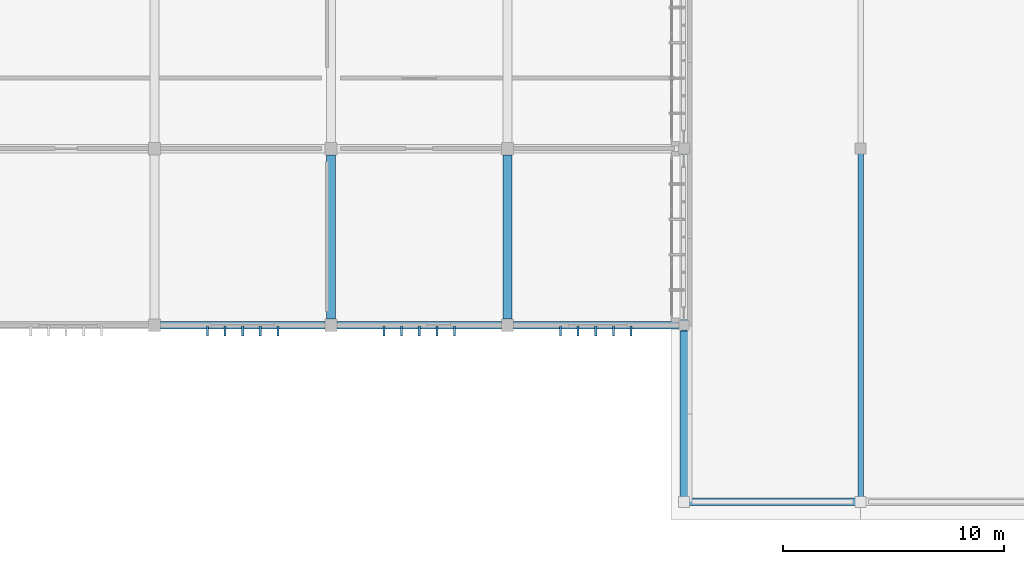
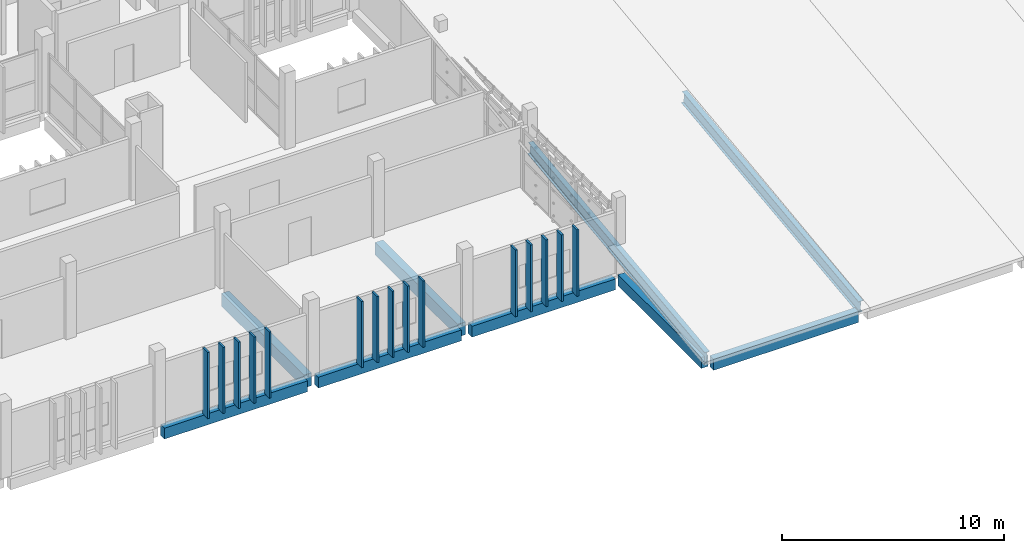
# One storey, part 37 of 83: 15 members, 9 beams.
"""IFC4 building model written with IfcOpenShell, lengths in metres."""

from ifc_helpers import new_model, si_unit, direction, frame, origin, origin_2d, place, context, subcontext, project, spatial, rectangle, i_section, extrude, material, material_profile, profile_set, type_object, element, save


model = new_model("IFC4")

# Units and contexts
model_context = context("Model", 3, precision=1e-05, world=origin(), true_north=direction((0.0, 1.0)))
body_context = subcontext(model_context, "Body", "Model", "MODEL_VIEW")
ifc_project = project(units=[si_unit("LENGTHUNIT", "METRE"), si_unit("AREAUNIT", "SQUARE_METRE"), si_unit("VOLUMEUNIT", "CUBIC_METRE"), si_unit("PLANEANGLEUNIT", "RADIAN"), si_unit("MASSUNIT", "GRAM", prefix="KILO")], contexts=[model_context])

# Site, building, storey
site_placement = place(None, origin())
site = spatial("IfcSite", under=ifc_project, at=site_placement, CompositionType="ELEMENT")
building_placement = place(site_placement, origin())
building = spatial("IfcBuilding", under=site, at=building_placement, Name="Jelvoka-Kovrelna Polytechnic", CompositionType="ELEMENT")
storey_placement = place(building_placement, frame((0.0, 0.0, 13.800048828125)))
storey = spatial("IfcBuildingStorey", under=building, at=storey_placement, Name="L04", CompositionType="ELEMENT", Elevation=13.800048828125)

# Beams
ifc_material_1 = material(Name="Concrete C40/50", Category="concrete")
ifc_material_profile_1 = material_profile(ifc_material_1, rectangle(XDim=0.39990234375, YDim=0.699951171875, at=origin_2d()), Name="RC 400x700")
ifc_profile_set_1 = profile_set([ifc_material_profile_1], Name="Concrete C40/50")
beam_type_1 = type_object("IfcBeamType", Name="Beam_RC_400x700", PredefinedType="BEAM", material=ifc_profile_set_1)
for number, where, z_axis, x_axis, name in (
    (1, (144.0, 8.280029296875, -0.60009765625), (0.0, 1.0, 0.0), (-1.0, 0.0, 0.0), "L04 beam 1172"),
    (2, (152.0, 8.280029296875, -0.60009765625), (0.0, 1.0, 0.0), (-1.0, 0.0, 0.0), "L04 beam 1174"),
):
    element("IfcBeam", number, at=place(storey_placement, frame(where, z_axis=z_axis, x_axis=x_axis)), inside=storey, type_object=beam_type_1, Name=name, PredefinedType="BEAM", context=body_context, shape_type="SweptSolid", body=[
        extrude(rectangle(XDim=0.39990234375, YDim=0.699951171875, at=origin_2d()), origin(), (0.0, 0.0, 1.0), 7.43994140625),
    ])
ifc_material_2 = material(Name="Structural steel S355JR", Category="steel")
ifc_material_profile_2 = material_profile(ifc_material_2, i_section(OverallWidth=0.2529296875, OverallDepth=0.677978515625, WebThickness=0.01171875, FlangeThickness=0.01611328125, FilletRadius=0.01513671875, at=origin_2d()), Name="686x254x125 UB")
ifc_profile_set_2 = profile_set([ifc_material_profile_2], Name="Structural steel S355JR")
beam_type_2 = type_object("IfcBeamType", Name="Girder_Steel_UB686", PredefinedType="BEAM", material=ifc_profile_set_2)
for number, where, z_axis, x_axis, name in (
    (3, (160.0, 0.050048828125, 0.0400390625), (0.0, 0.992713849108, 0.120495700292), (-1.0, 0.0, 0.0), "L04 V5 south outward-pitched girder 0251"),
    (4, (168.0, 0.050048828125, 0.0400390625), (0.0, 0.992713849108, 0.120495700292), (-1.0, 0.0, 0.0), "L04 V5 south outward-pitched girder 0253"),
):
    element("IfcBeam", number, at=place(storey_placement, frame(where, z_axis=z_axis, x_axis=x_axis)), inside=storey, type_object=beam_type_2, Name=name, PredefinedType="BEAM", context=body_context, shape_type="SweptSolid", body=[
        extrude(i_section(OverallWidth=0.2529296875, OverallDepth=0.677978515625, WebThickness=0.01171875, FlangeThickness=0.01611328125, FilletRadius=0.01513671875, at=origin_2d()), origin(), (0.0, 0.0, 1.0), 16.0166015625),
    ])

# Members
ifc_material_3 = material(Name="Precast concrete C40/50", Category="concrete")
ifc_material_profile_3 = material_profile(ifc_material_3, rectangle(XDim=0.10009765625, YDim=0.449951171875, at=origin_2d()), Name="PC 100x450")
ifc_profile_set_3 = profile_set([ifc_material_profile_3], Name="Precast concrete C40/50")
member_type = type_object("IfcMemberType", Name="Louvre_Fin_100x450", PredefinedType="USERDEFINED", material=ifc_profile_set_3)
for number, where, z_axis, x_axis, name in (
    (5, (138.39990234375, 7.735107421875, -0.27001953125), (0.0, 0.0, 1.0), (1.0, 0.0, 0.0), "L04 B1 south vertical solar louvre fin 0431"),
    (6, (139.199951171875, 7.735107421875, -0.27001953125), (0.0, 0.0, 1.0), (1.0, 0.0, 0.0), "L04 B1 south vertical solar louvre fin 0432"),
    (7, (140.0, 7.735107421875, -0.27001953125), (0.0, 0.0, 1.0), (1.0, 0.0, 0.0), "L04 B1 south vertical solar louvre fin 0433"),
    (8, (140.800048828125, 7.735107421875, -0.27001953125), (0.0, 0.0, 1.0), (1.0, 0.0, 0.0), "L04 B1 south vertical solar louvre fin 0434"),
    (9, (141.60009765625, 7.735107421875, -0.27001953125), (0.0, 0.0, 1.0), (1.0, 0.0, 0.0), "L04 B1 south vertical solar louvre fin 0435"),
    (10, (146.39990234375, 7.735107421875, -0.27001953125), (0.0, 0.0, 1.0), (1.0, 0.0, 0.0), "L04 B1 south vertical solar louvre fin 0441"),
    (11, (147.199951171875, 7.735107421875, -0.27001953125), (0.0, 0.0, 1.0), (1.0, 0.0, 0.0), "L04 B1 south vertical solar louvre fin 0442"),
    (12, (148.0, 7.735107421875, -0.27001953125), (0.0, 0.0, 1.0), (1.0, 0.0, 0.0), "L04 B1 south vertical solar louvre fin 0443"),
    (13, (148.800048828125, 7.735107421875, -0.27001953125), (0.0, 0.0, 1.0), (1.0, 0.0, 0.0), "L04 B1 south vertical solar louvre fin 0444"),
    (14, (149.60009765625, 7.735107421875, -0.27001953125), (0.0, 0.0, 1.0), (1.0, 0.0, 0.0), "L04 B1 south vertical solar louvre fin 0445"),
):
    element("IfcMember", number, at=place(storey_placement, frame(where, z_axis=z_axis, x_axis=x_axis)), inside=storey, type_object=member_type, Name=name, ObjectType="SUNSHADE", PredefinedType="USERDEFINED", context=body_context, shape_type="SweptSolid", body=[
        extrude(rectangle(XDim=0.10009765625, YDim=0.449951171875, at=origin_2d()), origin(), (0.0, 0.0, 1.0), 3.64501953125),
    ])
for number, where, z_axis, x_axis, name in (
    (15, (154.39990234375, 7.735107421875, -0.27001953125), (0.0, 0.0, 1.0), (1.0, 0.0, 0.0), "L04 B1 south vertical solar louvre fin 0446"),
    (16, (155.199951171875, 7.735107421875, -0.27001953125), (0.0, 0.0, 1.0), (1.0, 0.0, 0.0), "L04 B1 south vertical solar louvre fin 0447"),
    (17, (156.0, 7.735107421875, -0.27001953125), (0.0, 0.0, 1.0), (1.0, 0.0, 0.0), "L04 B1 south vertical solar louvre fin 0448"),
    (18, (156.800048828125, 7.735107421875, -0.27001953125), (0.0, 0.0, 1.0), (1.0, 0.0, 0.0), "L04 B1 south vertical solar louvre fin 0449"),
    (19, (157.60009765625, 7.735107421875, -0.27001953125), (0.0, 0.0, 1.0), (1.0, 0.0, 0.0), "L04 B1 south vertical solar louvre fin 0450"),
):
    element("IfcMember", number, at=place(storey_placement, frame(where, z_axis=z_axis, x_axis=x_axis)), inside=storey, type_object=member_type, Name=name, ObjectType="SUNSHADE", PredefinedType="USERDEFINED", context=body_context, shape_type="SweptSolid", body=[
        extrude(rectangle(XDim=0.10009765625, YDim=0.449951171875, at=origin_2d()), origin(), (0.0, 0.0, 1.0), 3.669921875),
    ])

# Beams
ifc_material_4 = material(Name="Concrete C40/50", Category="concrete")
ifc_material_profile_4 = material_profile(ifc_material_4, rectangle(XDim=0.35009765625, YDim=0.60009765625, at=origin_2d()), Name="RC 350x600")
ifc_profile_set_4 = profile_set([ifc_material_profile_4], Name="Concrete C40/50")
beam_type_3 = type_object("IfcBeamType", Name="Spandrel_RC_350x600", PredefinedType="SPANDREL", material=ifc_profile_set_4)
beam_1_placement = place(storey_placement, frame((160.22998046875, 0.0, -0.300048828125), z_axis=(1.0, 0.0, 0.0), x_axis=(0.0, 1.0, 0.0)))
element("IfcBeam", 20, at=beam_1_placement, inside=storey, type_object=beam_type_3, Name="L04 beam 0263", PredefinedType="SPANDREL", context=body_context, shape_type="SweptSolid", body=[
    extrude(rectangle(XDim=0.35009765625, YDim=0.60009765625, at=origin_2d()), origin(), (0.0, 0.0, 1.0), 7.5400390625),
])
beam_2_placement = place(storey_placement, frame((160.0, 0.22998046875, -0.300048828125), z_axis=(0.0, 1.0, 0.0), x_axis=(-1.0, 0.0, 0.0)))
element("IfcBeam", 21, at=beam_2_placement, inside=storey, type_object=beam_type_3, Name="L04 beam 0268", PredefinedType="SPANDREL", context=body_context, shape_type="SweptSolid", body=[
    extrude(rectangle(XDim=0.35009765625, YDim=0.60009765625, at=origin_2d()), origin(), (0.0, 0.0, 1.0), 7.51513671875),
])
for number, where, z_axis, x_axis, name in (
    (22, (136.280029296875, 8.0, -0.550048828125), (1.0, 0.0, 0.0), (0.0, 1.0, 0.0), "L04 beam 1151"),
    (23, (144.280029296875, 8.0, -0.550048828125), (1.0, 0.0, 0.0), (0.0, 1.0, 0.0), "L04 beam 1152"),
):
    element("IfcBeam", number, at=place(storey_placement, frame(where, z_axis=z_axis, x_axis=x_axis)), inside=storey, type_object=beam_type_3, Name=name, PredefinedType="SPANDREL", context=body_context, shape_type="SweptSolid", body=[
        extrude(rectangle(XDim=0.35009765625, YDim=0.60009765625, at=origin_2d()), origin(), (0.0, 0.0, 1.0), 7.43994140625),
    ])
beam_3_placement = place(storey_placement, frame((152.280029296875, 8.0, -0.550048828125), z_axis=(1.0, 0.0, 0.0), x_axis=(0.0, 1.0, 0.0)))
element("IfcBeam", 24, at=beam_3_placement, inside=storey, type_object=beam_type_3, Name="L04 beam 1153", PredefinedType="SPANDREL", context=body_context, shape_type="SweptSolid", body=[
    extrude(rectangle(XDim=0.35009765625, YDim=0.60009765625, at=origin_2d()), origin(), (0.0, 0.0, 1.0), 7.465087890625),
])

save(model, "model.ifc")
